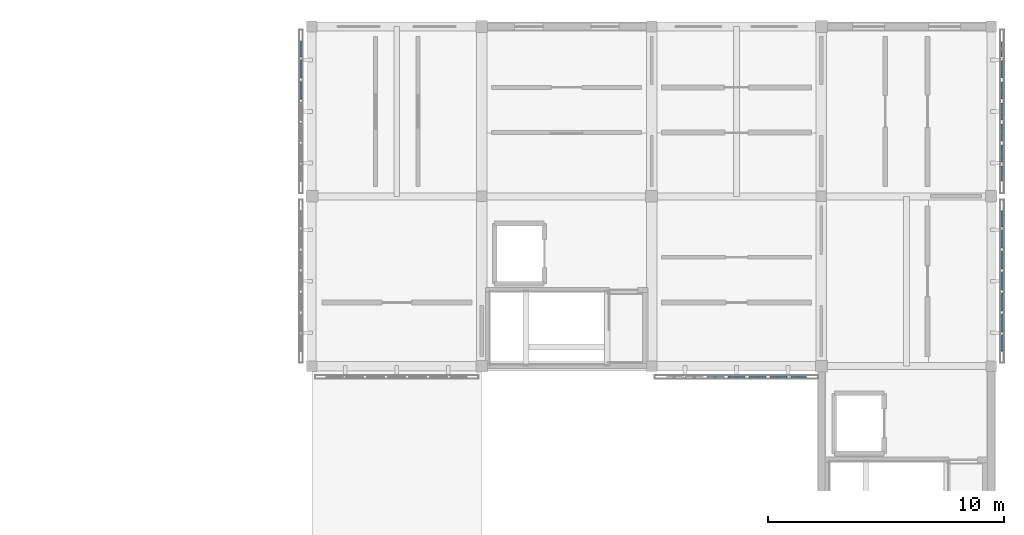
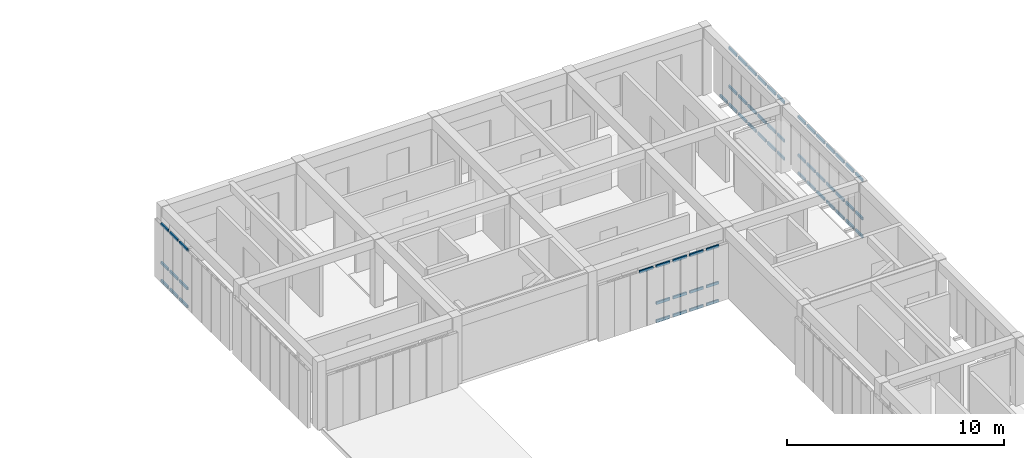
# One storey, part 14 of 33: 62 members, 4 elements without a shape of their own.
"""IFC4 building model written with IfcOpenShell, lengths in metres."""

from ifc_helpers import new_model, si_unit, direction, frame, origin, origin_2d, place, context, subcontext, project, spatial, hollow_rectangle, extrude, material, material_profile, profile_set, type_object, element, aggregate, save


model = new_model("IFC4")

# Units and contexts
model_context = context("Model", 3, precision=1e-05, world=origin(), true_north=direction((0.0, 1.0)))
body_context = subcontext(model_context, "Body", "Model", "MODEL_VIEW")
ifc_project = project(units=[si_unit("LENGTHUNIT", "METRE"), si_unit("AREAUNIT", "SQUARE_METRE"), si_unit("VOLUMEUNIT", "CUBIC_METRE"), si_unit("PLANEANGLEUNIT", "RADIAN"), si_unit("MASSUNIT", "GRAM", prefix="KILO")], contexts=[model_context])

# Site, building, storey
site_placement = place(None, origin())
site = spatial("IfcSite", under=ifc_project, at=site_placement, CompositionType="ELEMENT")
building_placement = place(site_placement, origin())
building = spatial("IfcBuilding", under=site, at=building_placement, Name="Aldebral Square Health Centre", CompositionType="ELEMENT")
storey_placement = place(building_placement, frame((0.0, 0.0, 17.550048828125)))
storey = spatial("IfcBuildingStorey", under=building, at=storey_placement, Name="L04", CompositionType="ELEMENT", Elevation=17.550048828125)

# Curtain wall, members
ifc_material_1 = material(Name="Aluminium and low-E solar glass", Category="aluminium")
curtain_wall_type = type_object("IfcCurtainWallType", Name="CW-FIN-SYS", PredefinedType="USERDEFINED", material=ifc_material_1)
curtain_wall_1_placement = place(storey_placement, origin())
curtain_wall_1 = element("IfcCurtainWall", 1, at=curtain_wall_1_placement, inside=storey, type_object=curtain_wall_type, Name="L04 V5 finned curtain wall L04-V5-19-15-W", ObjectType="SOLAR_CURTAIN_WALL", PredefinedType="USERDEFINED")
ifc_material_2 = material(Name="Anodised aluminium transom", Category="aluminium")
ifc_material_profile = material_profile(ifc_material_2, hollow_rectangle(XDim=0.074951171875, YDim=0.14990234375, WallThickness=0.00390625, at=origin_2d()), Name="CWT 75x150x4")
ifc_profile_set = profile_set([ifc_material_profile], Name="Anodised aluminium transom")
member_type = type_object("IfcMemberType", Name="CWT-STD", PredefinedType="USERDEFINED", material=ifc_profile_set)
member_1_placement = place(storey_placement, frame((136.340087890625, 114.56005859375, 0.037353515625), z_axis=(0.0, -1.0, 0.0), x_axis=(1.0, 0.0, 0.0)))
member_1 = element("IfcMember", 2, at=member_1_placement, type_object=member_type, Name="CW1 transom 1.1", ObjectType="TRANSOM", PredefinedType="USERDEFINED", context=body_context, shape_type="SweptSolid", body=[
    extrude(hollow_rectangle(XDim=0.074951171875, YDim=0.14990234375, WallThickness=0.00390625, at=origin_2d()), origin(), (0.0, 0.0, 1.0), 0.6513671875),
])
member_2_placement = place(storey_placement, frame((136.340087890625, 114.56005859375, 1.050048828125), z_axis=(0.0, -1.0, 0.0), x_axis=(1.0, 0.0, 0.0)))
member_2 = element("IfcMember", 3, at=member_2_placement, type_object=member_type, Name="CW1 transom 1.2", ObjectType="TRANSOM", PredefinedType="USERDEFINED", context=body_context, shape_type="SweptSolid", body=[
    extrude(hollow_rectangle(XDim=0.074951171875, YDim=0.14990234375, WallThickness=0.00390625, at=origin_2d()), origin(), (0.0, 0.0, 1.0), 0.6513671875),
])
member_3_placement = place(storey_placement, frame((136.340087890625, 114.56005859375, 3.21240234375), z_axis=(0.0, -1.0, 0.0), x_axis=(1.0, 0.0, 0.0)))
member_3 = element("IfcMember", 4, at=member_3_placement, type_object=member_type, Name="CW1 transom 1.3", ObjectType="TRANSOM", PredefinedType="USERDEFINED", context=body_context, shape_type="SweptSolid", body=[
    extrude(hollow_rectangle(XDim=0.074951171875, YDim=0.14990234375, WallThickness=0.00390625, at=origin_2d()), origin(), (0.0, 0.0, 1.0), 0.6513671875),
])
member_4_placement = place(storey_placement, frame((136.340087890625, 113.74853515625, 0.037353515625), z_axis=(0.0, -1.0, 0.0), x_axis=(1.0, 0.0, 0.0)))
member_4 = element("IfcMember", 5, at=member_4_placement, type_object=member_type, Name="CW1 transom 2.1", ObjectType="TRANSOM", PredefinedType="USERDEFINED", context=body_context, shape_type="SweptSolid", body=[
    extrude(hollow_rectangle(XDim=0.074951171875, YDim=0.14990234375, WallThickness=0.00390625, at=origin_2d()), origin(), (0.0, 0.0, 1.0), 0.7314453125),
])
member_5_placement = place(storey_placement, frame((136.340087890625, 113.74853515625, 1.050048828125), z_axis=(0.0, -1.0, 0.0), x_axis=(1.0, 0.0, 0.0)))
member_5 = element("IfcMember", 6, at=member_5_placement, type_object=member_type, Name="CW1 transom 2.2", ObjectType="TRANSOM", PredefinedType="USERDEFINED", context=body_context, shape_type="SweptSolid", body=[
    extrude(hollow_rectangle(XDim=0.074951171875, YDim=0.14990234375, WallThickness=0.00390625, at=origin_2d()), origin(), (0.0, 0.0, 1.0), 0.7314453125),
])
member_6_placement = place(storey_placement, frame((136.340087890625, 113.74853515625, 3.21240234375), z_axis=(0.0, -1.0, 0.0), x_axis=(1.0, 0.0, 0.0)))
member_6 = element("IfcMember", 7, at=member_6_placement, type_object=member_type, Name="CW1 transom 2.3", ObjectType="TRANSOM", PredefinedType="USERDEFINED", context=body_context, shape_type="SweptSolid", body=[
    extrude(hollow_rectangle(XDim=0.074951171875, YDim=0.14990234375, WallThickness=0.00390625, at=origin_2d()), origin(), (0.0, 0.0, 1.0), 0.7314453125),
])
member_7_placement = place(storey_placement, frame((136.340087890625, 112.857177734375, 0.037353515625), z_axis=(0.0, -1.0, 0.0), x_axis=(1.0, 0.0, 0.0)))
member_7 = element("IfcMember", 8, at=member_7_placement, type_object=member_type, Name="CW1 transom 3.1", ObjectType="TRANSOM", PredefinedType="USERDEFINED", context=body_context, shape_type="SweptSolid", body=[
    extrude(hollow_rectangle(XDim=0.074951171875, YDim=0.14990234375, WallThickness=0.00390625, at=origin_2d()), origin(), (0.0, 0.0, 1.0), 0.7314453125),
])
member_8_placement = place(storey_placement, frame((136.340087890625, 112.857177734375, 1.050048828125), z_axis=(0.0, -1.0, 0.0), x_axis=(1.0, 0.0, 0.0)))
member_8 = element("IfcMember", 9, at=member_8_placement, type_object=member_type, Name="CW1 transom 3.2", ObjectType="TRANSOM", PredefinedType="USERDEFINED", context=body_context, shape_type="SweptSolid", body=[
    extrude(hollow_rectangle(XDim=0.074951171875, YDim=0.14990234375, WallThickness=0.00390625, at=origin_2d()), origin(), (0.0, 0.0, 1.0), 0.7314453125),
])
member_9_placement = place(storey_placement, frame((136.340087890625, 112.857177734375, 3.21240234375), z_axis=(0.0, -1.0, 0.0), x_axis=(1.0, 0.0, 0.0)))
member_9 = element("IfcMember", 10, at=member_9_placement, type_object=member_type, Name="CW1 transom 3.3", ObjectType="TRANSOM", PredefinedType="USERDEFINED", context=body_context, shape_type="SweptSolid", body=[
    extrude(hollow_rectangle(XDim=0.074951171875, YDim=0.14990234375, WallThickness=0.00390625, at=origin_2d()), origin(), (0.0, 0.0, 1.0), 0.7314453125),
])
aggregate(curtain_wall_1, [member_1, member_2, member_3, member_4, member_5, member_6, member_7, member_8, member_9])

curtain_wall_2_placement = place(storey_placement, origin())
curtain_wall_2 = element("IfcCurtainWall", 11, at=curtain_wall_2_placement, inside=storey, type_object=curtain_wall_type, Name="L04 V5 finned curtain wall L04-V5-21-14-S", ObjectType="SOLAR_CURTAIN_WALL", PredefinedType="USERDEFINED")
member_10_placement = place(storey_placement, frame((153.54296875, 100.340087890625, 3.112548828125), z_axis=(1.0, 0.0, 0.0), x_axis=(0.0, 1.0, 0.0)))
member_10 = element("IfcMember", 12, at=member_10_placement, type_object=member_type, Name="CW1 transom 3.3", ObjectType="TRANSOM", PredefinedType="USERDEFINED", context=body_context, shape_type="SweptSolid", body=[
    extrude(hollow_rectangle(XDim=0.074951171875, YDim=0.14990234375, WallThickness=0.00390625, at=origin_2d()), origin(), (0.0, 0.0, 1.0), 0.731201171875),
])
member_11_placement = place(storey_placement, frame((154.434326171875, 100.340087890625, 0.037353515625), z_axis=(1.0, 0.0, 0.0), x_axis=(0.0, 1.0, 0.0)))
member_11 = element("IfcMember", 13, at=member_11_placement, type_object=member_type, Name="CW1 transom 4.1", ObjectType="TRANSOM", PredefinedType="USERDEFINED", context=body_context, shape_type="SweptSolid", body=[
    extrude(hollow_rectangle(XDim=0.074951171875, YDim=0.14990234375, WallThickness=0.00390625, at=origin_2d()), origin(), (0.0, 0.0, 1.0), 0.7314453125),
])
member_12_placement = place(storey_placement, frame((154.434326171875, 100.340087890625, 1.050048828125), z_axis=(1.0, 0.0, 0.0), x_axis=(0.0, 1.0, 0.0)))
member_12 = element("IfcMember", 14, at=member_12_placement, type_object=member_type, Name="CW1 transom 4.2", ObjectType="TRANSOM", PredefinedType="USERDEFINED", context=body_context, shape_type="SweptSolid", body=[
    extrude(hollow_rectangle(XDim=0.074951171875, YDim=0.14990234375, WallThickness=0.00390625, at=origin_2d()), origin(), (0.0, 0.0, 1.0), 0.7314453125),
])
member_13_placement = place(storey_placement, frame((154.434326171875, 100.340087890625, 3.112548828125), z_axis=(1.0, 0.0, 0.0), x_axis=(0.0, 1.0, 0.0)))
member_13 = element("IfcMember", 15, at=member_13_placement, type_object=member_type, Name="CW1 transom 4.3", ObjectType="TRANSOM", PredefinedType="USERDEFINED", context=body_context, shape_type="SweptSolid", body=[
    extrude(hollow_rectangle(XDim=0.074951171875, YDim=0.14990234375, WallThickness=0.00390625, at=origin_2d()), origin(), (0.0, 0.0, 1.0), 0.7314453125),
])
member_14_placement = place(storey_placement, frame((155.32568359375, 100.340087890625, 0.037353515625), z_axis=(1.0, 0.0, 0.0), x_axis=(0.0, 1.0, 0.0)))
member_14 = element("IfcMember", 16, at=member_14_placement, type_object=member_type, Name="CW1 transom 5.1", ObjectType="TRANSOM", PredefinedType="USERDEFINED", context=body_context, shape_type="SweptSolid", body=[
    extrude(hollow_rectangle(XDim=0.074951171875, YDim=0.14990234375, WallThickness=0.00390625, at=origin_2d()), origin(), (0.0, 0.0, 1.0), 0.7314453125),
])
member_15_placement = place(storey_placement, frame((155.32568359375, 100.340087890625, 1.050048828125), z_axis=(1.0, 0.0, 0.0), x_axis=(0.0, 1.0, 0.0)))
member_15 = element("IfcMember", 17, at=member_15_placement, type_object=member_type, Name="CW1 transom 5.2", ObjectType="TRANSOM", PredefinedType="USERDEFINED", context=body_context, shape_type="SweptSolid", body=[
    extrude(hollow_rectangle(XDim=0.074951171875, YDim=0.14990234375, WallThickness=0.00390625, at=origin_2d()), origin(), (0.0, 0.0, 1.0), 0.7314453125),
])
member_16_placement = place(storey_placement, frame((155.32568359375, 100.340087890625, 3.112548828125), z_axis=(1.0, 0.0, 0.0), x_axis=(0.0, 1.0, 0.0)))
member_16 = element("IfcMember", 18, at=member_16_placement, type_object=member_type, Name="CW1 transom 5.3", ObjectType="TRANSOM", PredefinedType="USERDEFINED", context=body_context, shape_type="SweptSolid", body=[
    extrude(hollow_rectangle(XDim=0.074951171875, YDim=0.14990234375, WallThickness=0.00390625, at=origin_2d()), origin(), (0.0, 0.0, 1.0), 0.7314453125),
])
member_17_placement = place(storey_placement, frame((156.217041015625, 100.340087890625, 0.037353515625), z_axis=(1.0, 0.0, 0.0), x_axis=(0.0, 1.0, 0.0)))
member_17 = element("IfcMember", 19, at=member_17_placement, type_object=member_type, Name="CW1 transom 6.1", ObjectType="TRANSOM", PredefinedType="USERDEFINED", context=body_context, shape_type="SweptSolid", body=[
    extrude(hollow_rectangle(XDim=0.074951171875, YDim=0.14990234375, WallThickness=0.00390625, at=origin_2d()), origin(), (0.0, 0.0, 1.0), 0.7314453125),
])
member_18_placement = place(storey_placement, frame((156.217041015625, 100.340087890625, 1.050048828125), z_axis=(1.0, 0.0, 0.0), x_axis=(0.0, 1.0, 0.0)))
member_18 = element("IfcMember", 20, at=member_18_placement, type_object=member_type, Name="CW1 transom 6.2", ObjectType="TRANSOM", PredefinedType="USERDEFINED", context=body_context, shape_type="SweptSolid", body=[
    extrude(hollow_rectangle(XDim=0.074951171875, YDim=0.14990234375, WallThickness=0.00390625, at=origin_2d()), origin(), (0.0, 0.0, 1.0), 0.7314453125),
])
member_19_placement = place(storey_placement, frame((156.217041015625, 100.340087890625, 3.112548828125), z_axis=(1.0, 0.0, 0.0), x_axis=(0.0, 1.0, 0.0)))
member_19 = element("IfcMember", 21, at=member_19_placement, type_object=member_type, Name="CW1 transom 6.3", ObjectType="TRANSOM", PredefinedType="USERDEFINED", context=body_context, shape_type="SweptSolid", body=[
    extrude(hollow_rectangle(XDim=0.074951171875, YDim=0.14990234375, WallThickness=0.00390625, at=origin_2d()), origin(), (0.0, 0.0, 1.0), 0.7314453125),
])
member_20_placement = place(storey_placement, frame((157.108642578125, 100.340087890625, 0.037353515625), z_axis=(1.0, 0.0, 0.0), x_axis=(0.0, 1.0, 0.0)))
member_20 = element("IfcMember", 22, at=member_20_placement, type_object=member_type, Name="CW1 transom 7.1", ObjectType="TRANSOM", PredefinedType="USERDEFINED", context=body_context, shape_type="SweptSolid", body=[
    extrude(hollow_rectangle(XDim=0.074951171875, YDim=0.14990234375, WallThickness=0.00390625, at=origin_2d()), origin(), (0.0, 0.0, 1.0), 0.6513671875),
])
member_21_placement = place(storey_placement, frame((157.108642578125, 100.340087890625, 1.050048828125), z_axis=(1.0, 0.0, 0.0), x_axis=(0.0, 1.0, 0.0)))
member_21 = element("IfcMember", 23, at=member_21_placement, type_object=member_type, Name="CW1 transom 7.2", ObjectType="TRANSOM", PredefinedType="USERDEFINED", context=body_context, shape_type="SweptSolid", body=[
    extrude(hollow_rectangle(XDim=0.074951171875, YDim=0.14990234375, WallThickness=0.00390625, at=origin_2d()), origin(), (0.0, 0.0, 1.0), 0.6513671875),
])
member_22_placement = place(storey_placement, frame((157.108642578125, 100.340087890625, 3.112548828125), z_axis=(1.0, 0.0, 0.0), x_axis=(0.0, 1.0, 0.0)))
member_22 = element("IfcMember", 24, at=member_22_placement, type_object=member_type, Name="CW1 transom 7.3", ObjectType="TRANSOM", PredefinedType="USERDEFINED", context=body_context, shape_type="SweptSolid", body=[
    extrude(hollow_rectangle(XDim=0.074951171875, YDim=0.14990234375, WallThickness=0.00390625, at=origin_2d()), origin(), (0.0, 0.0, 1.0), 0.6513671875),
])
aggregate(curtain_wall_2, [member_10, member_11, member_12, member_13, member_14, member_15, member_16, member_17, member_18, member_19, member_20, member_21, member_22])

curtain_wall_3_placement = place(storey_placement, origin())
curtain_wall_3 = element("IfcCurtainWall", 25, at=curtain_wall_3_placement, inside=storey, type_object=curtain_wall_type, Name="L04 V5 finned curtain wall L04-V5-22-14-E", ObjectType="SOLAR_CURTAIN_WALL", PredefinedType="USERDEFINED")
member_23_placement = place(storey_placement, frame((166.06005859375, 101.43994140625, 0.037353515625), z_axis=(0.0, 1.0, 0.0), x_axis=(-1.0, 0.0, 0.0)))
member_23 = element("IfcMember", 26, at=member_23_placement, type_object=member_type, Name="CW1 transom 1.1", ObjectType="TRANSOM", PredefinedType="USERDEFINED", context=body_context, shape_type="SweptSolid", body=[
    extrude(hollow_rectangle(XDim=0.074951171875, YDim=0.14990234375, WallThickness=0.00390625, at=origin_2d()), origin(), (0.0, 0.0, 1.0), 0.6513671875),
])
member_24_placement = place(storey_placement, frame((166.06005859375, 101.43994140625, 1.050048828125), z_axis=(0.0, 1.0, 0.0), x_axis=(-1.0, 0.0, 0.0)))
member_24 = element("IfcMember", 27, at=member_24_placement, type_object=member_type, Name="CW1 transom 1.2", ObjectType="TRANSOM", PredefinedType="USERDEFINED", context=body_context, shape_type="SweptSolid", body=[
    extrude(hollow_rectangle(XDim=0.074951171875, YDim=0.14990234375, WallThickness=0.00390625, at=origin_2d()), origin(), (0.0, 0.0, 1.0), 0.6513671875),
])
member_25_placement = place(storey_placement, frame((166.06005859375, 101.43994140625, 3.21240234375), z_axis=(0.0, 1.0, 0.0), x_axis=(-1.0, 0.0, 0.0)))
member_25 = element("IfcMember", 28, at=member_25_placement, type_object=member_type, Name="CW1 transom 1.3", ObjectType="TRANSOM", PredefinedType="USERDEFINED", context=body_context, shape_type="SweptSolid", body=[
    extrude(hollow_rectangle(XDim=0.074951171875, YDim=0.14990234375, WallThickness=0.00390625, at=origin_2d()), origin(), (0.0, 0.0, 1.0), 0.6513671875),
])
member_26_placement = place(storey_placement, frame((166.06005859375, 102.25146484375, 0.037353515625), z_axis=(0.0, 1.0, 0.0), x_axis=(-1.0, 0.0, 0.0)))
member_26 = element("IfcMember", 29, at=member_26_placement, type_object=member_type, Name="CW1 transom 2.1", ObjectType="TRANSOM", PredefinedType="USERDEFINED", context=body_context, shape_type="SweptSolid", body=[
    extrude(hollow_rectangle(XDim=0.074951171875, YDim=0.14990234375, WallThickness=0.00390625, at=origin_2d()), origin(), (0.0, 0.0, 1.0), 0.7314453125),
])
member_27_placement = place(storey_placement, frame((166.06005859375, 102.25146484375, 1.050048828125), z_axis=(0.0, 1.0, 0.0), x_axis=(-1.0, 0.0, 0.0)))
member_27 = element("IfcMember", 30, at=member_27_placement, type_object=member_type, Name="CW1 transom 2.2", ObjectType="TRANSOM", PredefinedType="USERDEFINED", context=body_context, shape_type="SweptSolid", body=[
    extrude(hollow_rectangle(XDim=0.074951171875, YDim=0.14990234375, WallThickness=0.00390625, at=origin_2d()), origin(), (0.0, 0.0, 1.0), 0.7314453125),
])
member_28_placement = place(storey_placement, frame((166.06005859375, 102.25146484375, 3.21240234375), z_axis=(0.0, 1.0, 0.0), x_axis=(-1.0, 0.0, 0.0)))
member_28 = element("IfcMember", 31, at=member_28_placement, type_object=member_type, Name="CW1 transom 2.3", ObjectType="TRANSOM", PredefinedType="USERDEFINED", context=body_context, shape_type="SweptSolid", body=[
    extrude(hollow_rectangle(XDim=0.074951171875, YDim=0.14990234375, WallThickness=0.00390625, at=origin_2d()), origin(), (0.0, 0.0, 1.0), 0.7314453125),
])
member_29_placement = place(storey_placement, frame((166.06005859375, 103.142822265625, 0.037353515625), z_axis=(0.0, 1.0, 0.0), x_axis=(-1.0, 0.0, 0.0)))
member_29 = element("IfcMember", 32, at=member_29_placement, type_object=member_type, Name="CW1 transom 3.1", ObjectType="TRANSOM", PredefinedType="USERDEFINED", context=body_context, shape_type="SweptSolid", body=[
    extrude(hollow_rectangle(XDim=0.074951171875, YDim=0.14990234375, WallThickness=0.00390625, at=origin_2d()), origin(), (0.0, 0.0, 1.0), 0.7314453125),
])
member_30_placement = place(storey_placement, frame((166.06005859375, 103.142822265625, 1.050048828125), z_axis=(0.0, 1.0, 0.0), x_axis=(-1.0, 0.0, 0.0)))
member_30 = element("IfcMember", 33, at=member_30_placement, type_object=member_type, Name="CW1 transom 3.2", ObjectType="TRANSOM", PredefinedType="USERDEFINED", context=body_context, shape_type="SweptSolid", body=[
    extrude(hollow_rectangle(XDim=0.074951171875, YDim=0.14990234375, WallThickness=0.00390625, at=origin_2d()), origin(), (0.0, 0.0, 1.0), 0.7314453125),
])
member_31_placement = place(storey_placement, frame((166.06005859375, 103.142822265625, 3.21240234375), z_axis=(0.0, 1.0, 0.0), x_axis=(-1.0, 0.0, 0.0)))
member_31 = element("IfcMember", 34, at=member_31_placement, type_object=member_type, Name="CW1 transom 3.3", ObjectType="TRANSOM", PredefinedType="USERDEFINED", context=body_context, shape_type="SweptSolid", body=[
    extrude(hollow_rectangle(XDim=0.074951171875, YDim=0.14990234375, WallThickness=0.00390625, at=origin_2d()), origin(), (0.0, 0.0, 1.0), 0.7314453125),
])
member_32_placement = place(storey_placement, frame((166.06005859375, 104.0341796875, 0.037353515625), z_axis=(0.0, 1.0, 0.0), x_axis=(-1.0, 0.0, 0.0)))
member_32 = element("IfcMember", 35, at=member_32_placement, type_object=member_type, Name="CW1 transom 4.1", ObjectType="TRANSOM", PredefinedType="USERDEFINED", context=body_context, shape_type="SweptSolid", body=[
    extrude(hollow_rectangle(XDim=0.074951171875, YDim=0.14990234375, WallThickness=0.00390625, at=origin_2d()), origin(), (0.0, 0.0, 1.0), 0.7314453125),
])
member_33_placement = place(storey_placement, frame((166.06005859375, 104.0341796875, 1.050048828125), z_axis=(0.0, 1.0, 0.0), x_axis=(-1.0, 0.0, 0.0)))
member_33 = element("IfcMember", 36, at=member_33_placement, type_object=member_type, Name="CW1 transom 4.2", ObjectType="TRANSOM", PredefinedType="USERDEFINED", context=body_context, shape_type="SweptSolid", body=[
    extrude(hollow_rectangle(XDim=0.074951171875, YDim=0.14990234375, WallThickness=0.00390625, at=origin_2d()), origin(), (0.0, 0.0, 1.0), 0.7314453125),
])
member_34_placement = place(storey_placement, frame((166.06005859375, 104.0341796875, 3.21240234375), z_axis=(0.0, 1.0, 0.0), x_axis=(-1.0, 0.0, 0.0)))
member_34 = element("IfcMember", 37, at=member_34_placement, type_object=member_type, Name="CW1 transom 4.3", ObjectType="TRANSOM", PredefinedType="USERDEFINED", context=body_context, shape_type="SweptSolid", body=[
    extrude(hollow_rectangle(XDim=0.074951171875, YDim=0.14990234375, WallThickness=0.00390625, at=origin_2d()), origin(), (0.0, 0.0, 1.0), 0.7314453125),
])
member_35_placement = place(storey_placement, frame((166.06005859375, 104.92578125, 0.037353515625), z_axis=(0.0, 1.0, 0.0), x_axis=(-1.0, 0.0, 0.0)))
member_35 = element("IfcMember", 38, at=member_35_placement, type_object=member_type, Name="CW1 transom 5.1", ObjectType="TRANSOM", PredefinedType="USERDEFINED", context=body_context, shape_type="SweptSolid", body=[
    extrude(hollow_rectangle(XDim=0.074951171875, YDim=0.14990234375, WallThickness=0.00390625, at=origin_2d()), origin(), (0.0, 0.0, 1.0), 0.7314453125),
])
member_36_placement = place(storey_placement, frame((166.06005859375, 104.92578125, 1.050048828125), z_axis=(0.0, 1.0, 0.0), x_axis=(-1.0, 0.0, 0.0)))
member_36 = element("IfcMember", 39, at=member_36_placement, type_object=member_type, Name="CW1 transom 5.2", ObjectType="TRANSOM", PredefinedType="USERDEFINED", context=body_context, shape_type="SweptSolid", body=[
    extrude(hollow_rectangle(XDim=0.074951171875, YDim=0.14990234375, WallThickness=0.00390625, at=origin_2d()), origin(), (0.0, 0.0, 1.0), 0.7314453125),
])
member_37_placement = place(storey_placement, frame((166.06005859375, 104.92578125, 3.21240234375), z_axis=(0.0, 1.0, 0.0), x_axis=(-1.0, 0.0, 0.0)))
member_37 = element("IfcMember", 40, at=member_37_placement, type_object=member_type, Name="CW1 transom 5.3", ObjectType="TRANSOM", PredefinedType="USERDEFINED", context=body_context, shape_type="SweptSolid", body=[
    extrude(hollow_rectangle(XDim=0.074951171875, YDim=0.14990234375, WallThickness=0.00390625, at=origin_2d()), origin(), (0.0, 0.0, 1.0), 0.7314453125),
])
member_38_placement = place(storey_placement, frame((166.06005859375, 105.817138671875, 0.037353515625), z_axis=(0.0, 1.0, 0.0), x_axis=(-1.0, 0.0, 0.0)))
member_38 = element("IfcMember", 41, at=member_38_placement, type_object=member_type, Name="CW1 transom 6.1", ObjectType="TRANSOM", PredefinedType="USERDEFINED", context=body_context, shape_type="SweptSolid", body=[
    extrude(hollow_rectangle(XDim=0.074951171875, YDim=0.14990234375, WallThickness=0.00390625, at=origin_2d()), origin(), (0.0, 0.0, 1.0), 0.7314453125),
])
member_39_placement = place(storey_placement, frame((166.06005859375, 105.817138671875, 1.050048828125), z_axis=(0.0, 1.0, 0.0), x_axis=(-1.0, 0.0, 0.0)))
member_39 = element("IfcMember", 42, at=member_39_placement, type_object=member_type, Name="CW1 transom 6.2", ObjectType="TRANSOM", PredefinedType="USERDEFINED", context=body_context, shape_type="SweptSolid", body=[
    extrude(hollow_rectangle(XDim=0.074951171875, YDim=0.14990234375, WallThickness=0.00390625, at=origin_2d()), origin(), (0.0, 0.0, 1.0), 0.7314453125),
])
member_40_placement = place(storey_placement, frame((166.06005859375, 105.817138671875, 3.21240234375), z_axis=(0.0, 1.0, 0.0), x_axis=(-1.0, 0.0, 0.0)))
member_40 = element("IfcMember", 43, at=member_40_placement, type_object=member_type, Name="CW1 transom 6.3", ObjectType="TRANSOM", PredefinedType="USERDEFINED", context=body_context, shape_type="SweptSolid", body=[
    extrude(hollow_rectangle(XDim=0.074951171875, YDim=0.14990234375, WallThickness=0.00390625, at=origin_2d()), origin(), (0.0, 0.0, 1.0), 0.7314453125),
])
member_41_placement = place(storey_placement, frame((166.06005859375, 106.70849609375, 0.037353515625), z_axis=(0.0, 1.0, 0.0), x_axis=(-1.0, 0.0, 0.0)))
member_41 = element("IfcMember", 44, at=member_41_placement, type_object=member_type, Name="CW1 transom 7.1", ObjectType="TRANSOM", PredefinedType="USERDEFINED", context=body_context, shape_type="SweptSolid", body=[
    extrude(hollow_rectangle(XDim=0.074951171875, YDim=0.14990234375, WallThickness=0.00390625, at=origin_2d()), origin(), (0.0, 0.0, 1.0), 0.651611328125),
])
member_42_placement = place(storey_placement, frame((166.06005859375, 106.70849609375, 1.050048828125), z_axis=(0.0, 1.0, 0.0), x_axis=(-1.0, 0.0, 0.0)))
member_42 = element("IfcMember", 45, at=member_42_placement, type_object=member_type, Name="CW1 transom 7.2", ObjectType="TRANSOM", PredefinedType="USERDEFINED", context=body_context, shape_type="SweptSolid", body=[
    extrude(hollow_rectangle(XDim=0.074951171875, YDim=0.14990234375, WallThickness=0.00390625, at=origin_2d()), origin(), (0.0, 0.0, 1.0), 0.651611328125),
])
member_43_placement = place(storey_placement, frame((166.06005859375, 106.70849609375, 3.21240234375), z_axis=(0.0, 1.0, 0.0), x_axis=(-1.0, 0.0, 0.0)))
member_43 = element("IfcMember", 46, at=member_43_placement, type_object=member_type, Name="CW1 transom 7.3", ObjectType="TRANSOM", PredefinedType="USERDEFINED", context=body_context, shape_type="SweptSolid", body=[
    extrude(hollow_rectangle(XDim=0.074951171875, YDim=0.14990234375, WallThickness=0.00390625, at=origin_2d()), origin(), (0.0, 0.0, 1.0), 0.651611328125),
])
aggregate(curtain_wall_3, [member_23, member_24, member_25, member_26, member_27, member_28, member_29, member_30, member_31, member_32, member_33, member_34, member_35, member_36, member_37, member_38, member_39, member_40, member_41, member_42, member_43])

curtain_wall_4_placement = place(storey_placement, origin())
curtain_wall_4 = element("IfcCurtainWall", 47, at=curtain_wall_4_placement, inside=storey, type_object=curtain_wall_type, Name="L04 V5 finned curtain wall L04-V5-22-15-E", ObjectType="SOLAR_CURTAIN_WALL", PredefinedType="USERDEFINED")
member_44_placement = place(storey_placement, frame((166.06005859375, 108.639892578125, 0.037353515625), z_axis=(0.0, 1.0, 0.0), x_axis=(-1.0, 0.0, 0.0)))
member_44 = element("IfcMember", 48, at=member_44_placement, type_object=member_type, Name="CW1 transom 1.1", ObjectType="TRANSOM", PredefinedType="USERDEFINED", context=body_context, shape_type="SweptSolid", body=[
    extrude(hollow_rectangle(XDim=0.074951171875, YDim=0.14990234375, WallThickness=0.00390625, at=origin_2d()), origin(), (0.0, 0.0, 1.0), 0.651611328125),
])
member_45_placement = place(storey_placement, frame((166.06005859375, 108.639892578125, 1.050048828125), z_axis=(0.0, 1.0, 0.0), x_axis=(-1.0, 0.0, 0.0)))
member_45 = element("IfcMember", 49, at=member_45_placement, type_object=member_type, Name="CW1 transom 1.2", ObjectType="TRANSOM", PredefinedType="USERDEFINED", context=body_context, shape_type="SweptSolid", body=[
    extrude(hollow_rectangle(XDim=0.074951171875, YDim=0.14990234375, WallThickness=0.00390625, at=origin_2d()), origin(), (0.0, 0.0, 1.0), 0.651611328125),
])
member_46_placement = place(storey_placement, frame((166.06005859375, 108.639892578125, 3.21240234375), z_axis=(0.0, 1.0, 0.0), x_axis=(-1.0, 0.0, 0.0)))
member_46 = element("IfcMember", 50, at=member_46_placement, type_object=member_type, Name="CW1 transom 1.3", ObjectType="TRANSOM", PredefinedType="USERDEFINED", context=body_context, shape_type="SweptSolid", body=[
    extrude(hollow_rectangle(XDim=0.074951171875, YDim=0.14990234375, WallThickness=0.00390625, at=origin_2d()), origin(), (0.0, 0.0, 1.0), 0.651611328125),
])
member_47_placement = place(storey_placement, frame((166.06005859375, 109.451416015625, 0.037353515625), z_axis=(0.0, 1.0, 0.0), x_axis=(-1.0, 0.0, 0.0)))
member_47 = element("IfcMember", 51, at=member_47_placement, type_object=member_type, Name="CW1 transom 2.1", ObjectType="TRANSOM", PredefinedType="USERDEFINED", context=body_context, shape_type="SweptSolid", body=[
    extrude(hollow_rectangle(XDim=0.074951171875, YDim=0.14990234375, WallThickness=0.00390625, at=origin_2d()), origin(), (0.0, 0.0, 1.0), 0.7314453125),
])
member_48_placement = place(storey_placement, frame((166.06005859375, 109.451416015625, 1.050048828125), z_axis=(0.0, 1.0, 0.0), x_axis=(-1.0, 0.0, 0.0)))
member_48 = element("IfcMember", 52, at=member_48_placement, type_object=member_type, Name="CW1 transom 2.2", ObjectType="TRANSOM", PredefinedType="USERDEFINED", context=body_context, shape_type="SweptSolid", body=[
    extrude(hollow_rectangle(XDim=0.074951171875, YDim=0.14990234375, WallThickness=0.00390625, at=origin_2d()), origin(), (0.0, 0.0, 1.0), 0.7314453125),
])
member_49_placement = place(storey_placement, frame((166.06005859375, 109.451416015625, 3.21240234375), z_axis=(0.0, 1.0, 0.0), x_axis=(-1.0, 0.0, 0.0)))
member_49 = element("IfcMember", 53, at=member_49_placement, type_object=member_type, Name="CW1 transom 2.3", ObjectType="TRANSOM", PredefinedType="USERDEFINED", context=body_context, shape_type="SweptSolid", body=[
    extrude(hollow_rectangle(XDim=0.074951171875, YDim=0.14990234375, WallThickness=0.00390625, at=origin_2d()), origin(), (0.0, 0.0, 1.0), 0.7314453125),
])
member_50_placement = place(storey_placement, frame((166.06005859375, 110.3427734375, 0.037353515625), z_axis=(0.0, 1.0, 0.0), x_axis=(-1.0, 0.0, 0.0)))
member_50 = element("IfcMember", 54, at=member_50_placement, type_object=member_type, Name="CW1 transom 3.1", ObjectType="TRANSOM", PredefinedType="USERDEFINED", context=body_context, shape_type="SweptSolid", body=[
    extrude(hollow_rectangle(XDim=0.074951171875, YDim=0.14990234375, WallThickness=0.00390625, at=origin_2d()), origin(), (0.0, 0.0, 1.0), 0.7314453125),
])
member_51_placement = place(storey_placement, frame((166.06005859375, 110.3427734375, 1.050048828125), z_axis=(0.0, 1.0, 0.0), x_axis=(-1.0, 0.0, 0.0)))
member_51 = element("IfcMember", 55, at=member_51_placement, type_object=member_type, Name="CW1 transom 3.2", ObjectType="TRANSOM", PredefinedType="USERDEFINED", context=body_context, shape_type="SweptSolid", body=[
    extrude(hollow_rectangle(XDim=0.074951171875, YDim=0.14990234375, WallThickness=0.00390625, at=origin_2d()), origin(), (0.0, 0.0, 1.0), 0.7314453125),
])
member_52_placement = place(storey_placement, frame((166.06005859375, 110.3427734375, 3.21240234375), z_axis=(0.0, 1.0, 0.0), x_axis=(-1.0, 0.0, 0.0)))
member_52 = element("IfcMember", 56, at=member_52_placement, type_object=member_type, Name="CW1 transom 3.3", ObjectType="TRANSOM", PredefinedType="USERDEFINED", context=body_context, shape_type="SweptSolid", body=[
    extrude(hollow_rectangle(XDim=0.074951171875, YDim=0.14990234375, WallThickness=0.00390625, at=origin_2d()), origin(), (0.0, 0.0, 1.0), 0.7314453125),
])
member_53_placement = place(storey_placement, frame((166.06005859375, 111.234375, 0.037353515625), z_axis=(0.0, 1.0, 0.0), x_axis=(-1.0, 0.0, 0.0)))
member_53 = element("IfcMember", 57, at=member_53_placement, type_object=member_type, Name="CW1 transom 4.1", ObjectType="TRANSOM", PredefinedType="USERDEFINED", context=body_context, shape_type="SweptSolid", body=[
    extrude(hollow_rectangle(XDim=0.074951171875, YDim=0.14990234375, WallThickness=0.00390625, at=origin_2d()), origin(), (0.0, 0.0, 1.0), 0.7314453125),
])
member_54_placement = place(storey_placement, frame((166.06005859375, 111.234375, 1.050048828125), z_axis=(0.0, 1.0, 0.0), x_axis=(-1.0, 0.0, 0.0)))
member_54 = element("IfcMember", 58, at=member_54_placement, type_object=member_type, Name="CW1 transom 4.2", ObjectType="TRANSOM", PredefinedType="USERDEFINED", context=body_context, shape_type="SweptSolid", body=[
    extrude(hollow_rectangle(XDim=0.074951171875, YDim=0.14990234375, WallThickness=0.00390625, at=origin_2d()), origin(), (0.0, 0.0, 1.0), 0.7314453125),
])
member_55_placement = place(storey_placement, frame((166.06005859375, 111.234375, 3.21240234375), z_axis=(0.0, 1.0, 0.0), x_axis=(-1.0, 0.0, 0.0)))
member_55 = element("IfcMember", 59, at=member_55_placement, type_object=member_type, Name="CW1 transom 4.3", ObjectType="TRANSOM", PredefinedType="USERDEFINED", context=body_context, shape_type="SweptSolid", body=[
    extrude(hollow_rectangle(XDim=0.074951171875, YDim=0.14990234375, WallThickness=0.00390625, at=origin_2d()), origin(), (0.0, 0.0, 1.0), 0.7314453125),
])
member_56_placement = place(storey_placement, frame((166.06005859375, 112.125732421875, 0.037353515625), z_axis=(0.0, 1.0, 0.0), x_axis=(-1.0, 0.0, 0.0)))
member_56 = element("IfcMember", 60, at=member_56_placement, type_object=member_type, Name="CW1 transom 5.1", ObjectType="TRANSOM", PredefinedType="USERDEFINED", context=body_context, shape_type="SweptSolid", body=[
    extrude(hollow_rectangle(XDim=0.074951171875, YDim=0.14990234375, WallThickness=0.00390625, at=origin_2d()), origin(), (0.0, 0.0, 1.0), 0.7314453125),
])
member_57_placement = place(storey_placement, frame((166.06005859375, 112.125732421875, 1.050048828125), z_axis=(0.0, 1.0, 0.0), x_axis=(-1.0, 0.0, 0.0)))
member_57 = element("IfcMember", 61, at=member_57_placement, type_object=member_type, Name="CW1 transom 5.2", ObjectType="TRANSOM", PredefinedType="USERDEFINED", context=body_context, shape_type="SweptSolid", body=[
    extrude(hollow_rectangle(XDim=0.074951171875, YDim=0.14990234375, WallThickness=0.00390625, at=origin_2d()), origin(), (0.0, 0.0, 1.0), 0.7314453125),
])
member_58_placement = place(storey_placement, frame((166.06005859375, 112.125732421875, 3.21240234375), z_axis=(0.0, 1.0, 0.0), x_axis=(-1.0, 0.0, 0.0)))
member_58 = element("IfcMember", 62, at=member_58_placement, type_object=member_type, Name="CW1 transom 5.3", ObjectType="TRANSOM", PredefinedType="USERDEFINED", context=body_context, shape_type="SweptSolid", body=[
    extrude(hollow_rectangle(XDim=0.074951171875, YDim=0.14990234375, WallThickness=0.00390625, at=origin_2d()), origin(), (0.0, 0.0, 1.0), 0.7314453125),
])
member_59_placement = place(storey_placement, frame((166.06005859375, 113.01708984375, 0.037353515625), z_axis=(0.0, 1.0, 0.0), x_axis=(-1.0, 0.0, 0.0)))
member_59 = element("IfcMember", 63, at=member_59_placement, type_object=member_type, Name="CW1 transom 6.1", ObjectType="TRANSOM", PredefinedType="USERDEFINED", context=body_context, shape_type="SweptSolid", body=[
    extrude(hollow_rectangle(XDim=0.074951171875, YDim=0.14990234375, WallThickness=0.00390625, at=origin_2d()), origin(), (0.0, 0.0, 1.0), 0.7314453125),
])
member_60_placement = place(storey_placement, frame((166.06005859375, 113.01708984375, 1.050048828125), z_axis=(0.0, 1.0, 0.0), x_axis=(-1.0, 0.0, 0.0)))
member_60 = element("IfcMember", 64, at=member_60_placement, type_object=member_type, Name="CW1 transom 6.2", ObjectType="TRANSOM", PredefinedType="USERDEFINED", context=body_context, shape_type="SweptSolid", body=[
    extrude(hollow_rectangle(XDim=0.074951171875, YDim=0.14990234375, WallThickness=0.00390625, at=origin_2d()), origin(), (0.0, 0.0, 1.0), 0.7314453125),
])
member_61_placement = place(storey_placement, frame((166.06005859375, 113.01708984375, 3.21240234375), z_axis=(0.0, 1.0, 0.0), x_axis=(-1.0, 0.0, 0.0)))
member_61 = element("IfcMember", 65, at=member_61_placement, type_object=member_type, Name="CW1 transom 6.3", ObjectType="TRANSOM", PredefinedType="USERDEFINED", context=body_context, shape_type="SweptSolid", body=[
    extrude(hollow_rectangle(XDim=0.074951171875, YDim=0.14990234375, WallThickness=0.00390625, at=origin_2d()), origin(), (0.0, 0.0, 1.0), 0.7314453125),
])
member_62_placement = place(storey_placement, frame((166.06005859375, 113.90869140625, 0.037353515625), z_axis=(0.0, 1.0, 0.0), x_axis=(-1.0, 0.0, 0.0)))
member_62 = element("IfcMember", 66, at=member_62_placement, type_object=member_type, Name="CW1 transom 7.1", ObjectType="TRANSOM", PredefinedType="USERDEFINED", context=body_context, shape_type="SweptSolid", body=[
    extrude(hollow_rectangle(XDim=0.074951171875, YDim=0.14990234375, WallThickness=0.00390625, at=origin_2d()), origin(), (0.0, 0.0, 1.0), 0.6513671875),
])
aggregate(curtain_wall_4, [member_44, member_45, member_46, member_47, member_48, member_49, member_50, member_51, member_52, member_53, member_54, member_55, member_56, member_57, member_58, member_59, member_60, member_61, member_62])

save(model, "model.ifc")
